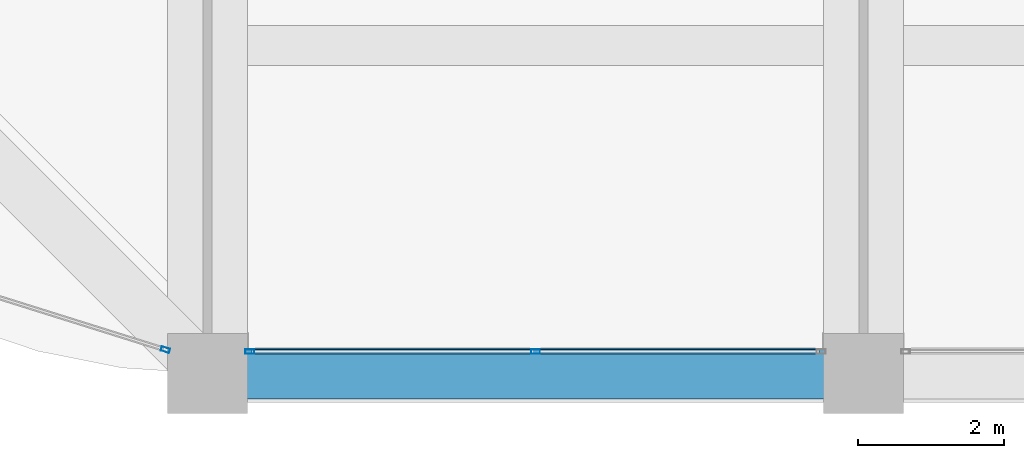
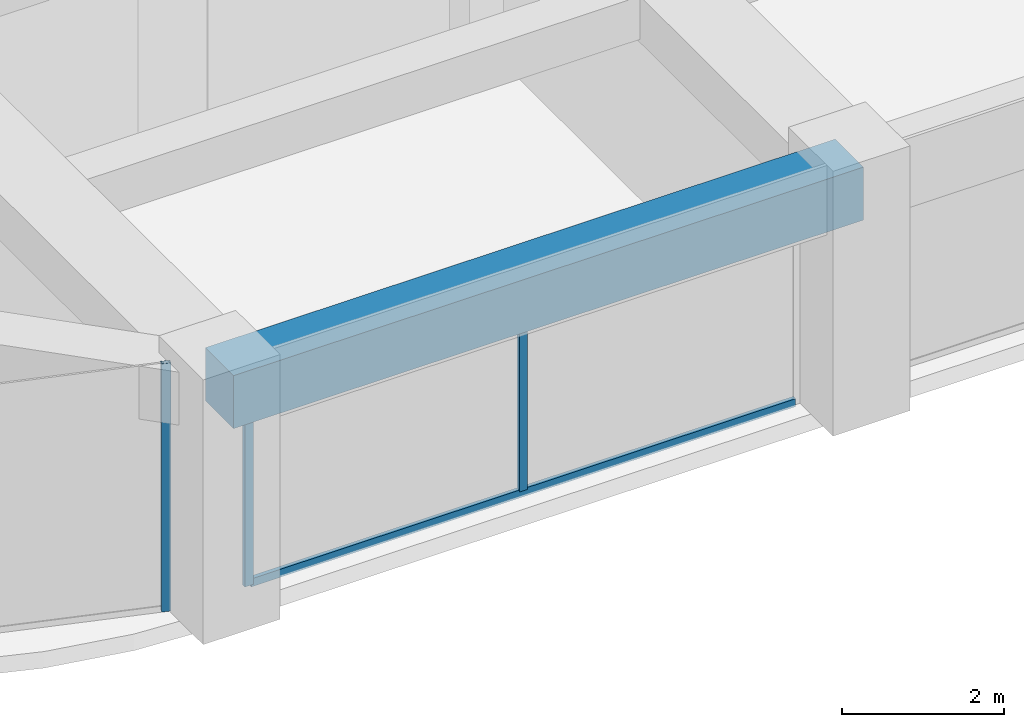
# One storey, part 4 of 45: 4 members, 1 beam, 2 elements without a shape of their own.
"""IFC4 building model written with IfcOpenShell, lengths in metres."""

from ifc_helpers import new_model, si_unit, direction, frame, origin, origin_2d, place, context, subcontext, project, spatial, rectangle, hollow_rectangle, extrude, material, material_profile, profile_set, type_object, element, aggregate, save


model = new_model("IFC4")

# Units and contexts
model_context = context("Model", 3, precision=1e-05, world=origin(), true_north=direction((0.0, 1.0)))
body_context = subcontext(model_context, "Body", "Model", "MODEL_VIEW")
ifc_project = project(units=[si_unit("LENGTHUNIT", "METRE"), si_unit("AREAUNIT", "SQUARE_METRE"), si_unit("VOLUMEUNIT", "CUBIC_METRE"), si_unit("PLANEANGLEUNIT", "RADIAN"), si_unit("MASSUNIT", "GRAM", prefix="KILO")], contexts=[model_context])

# Site, building, storey
site_placement = place(None, origin())
site = spatial("IfcSite", under=ifc_project, at=site_placement, CompositionType="ELEMENT")
building_placement = place(site_placement, origin())
building = spatial("IfcBuilding", under=site, at=building_placement, Name="Zorevar Civic Tower", CompositionType="ELEMENT")
storey_placement = place(building_placement, frame((0.0, 0.0, 291.39990234375)))
storey = spatial("IfcBuildingStorey", under=building, at=storey_placement, Name="L71", CompositionType="ELEMENT", Elevation=291.39990234375)

# Curtain wall, members
ifc_material_1 = material(Name="Dark grey solar-control glass in black aluminium frame", Category="aluminium")
curtain_wall_type = type_object("IfcCurtainWallType", Name="Curtain wall CW5 top zone", PredefinedType="NOTDEFINED", material=ifc_material_1)
curtain_wall_1_placement = place(storey_placement, origin())
curtain_wall_1 = element("IfcCurtainWall", 1, at=curtain_wall_1_placement, inside=storey, type_object=curtain_wall_type, Name="CW5 L71", PredefinedType="NOTDEFINED")
ifc_material_2 = material(Name="Aluminium, black anodised", Category="aluminium")
ifc_material_profile_1 = material_profile(ifc_material_2, hollow_rectangle(XDim=0.06005859375, YDim=0.1201171875, WallThickness=0.0029296875, at=origin_2d()), Name="AL 120x60x3")
ifc_profile_set_1 = profile_set([ifc_material_profile_1], Name="Aluminium, black anodised")
member_type_1 = type_object("IfcMemberType", Name="CW5 mullion AL 120x60x3", PredefinedType="MULLION", material=ifc_profile_set_1)
member_1_placement = place(storey_placement, frame((18.580078125, 0.300048828125, 0.0), z_axis=(0.0, 0.0, 1.0), x_axis=(0.0, 1.0, 0.0)))
member_1 = element("IfcMember", 2, at=member_1_placement, type_object=member_type_1, Name="CW5 mullion 1", PredefinedType="MULLION", context=body_context, shape_type="SweptSolid", body=[
    extrude(hollow_rectangle(XDim=0.06005859375, YDim=0.1201171875, WallThickness=0.0029296875, at=origin_2d()), origin(), (0.0, 0.0, 1.0), 2.9501953125),
])
member_2_placement = place(storey_placement, frame((22.5, 0.300048828125, 0.06005859375), z_axis=(0.0, 0.0, 1.0), x_axis=(0.0, 1.0, 0.0)))
member_2 = element("IfcMember", 3, at=member_2_placement, type_object=member_type_1, Name="CW5 mullion 2", PredefinedType="MULLION", context=body_context, shape_type="SweptSolid", body=[
    extrude(hollow_rectangle(XDim=0.06005859375, YDim=0.1201171875, WallThickness=0.0029296875, at=origin_2d()), origin(), (0.0, 0.0, 1.0), 2.89013671875),
])

# Curtain wall, member
curtain_wall_2_placement = place(storey_placement, origin())
curtain_wall_2 = element("IfcCurtainWall", 4, at=curtain_wall_2_placement, inside=storey, type_object=curtain_wall_type, Name="CW5 L71", PredefinedType="NOTDEFINED")
member_3_placement = place(storey_placement, frame((17.42138671875, 0.326416015625, 0.0), z_axis=(0.0, 0.0, 1.0), x_axis=(0.299317920238, 0.954153437674, 0.0)))
member_3 = element("IfcMember", 5, at=member_3_placement, type_object=member_type_1, Name="CW5 mullion 2", PredefinedType="MULLION", context=body_context, shape_type="SweptSolid", body=[
    extrude(hollow_rectangle(XDim=0.06005859375, YDim=0.1201171875, WallThickness=0.0029296875, at=origin_2d()), origin(), (0.0, 0.0, 1.0), 3.75),
])
aggregate(curtain_wall_2, [member_3])

# Member
ifc_material_3 = material(Name="Aluminium, black anodised", Category="aluminium")
ifc_material_profile_2 = material_profile(ifc_material_3, hollow_rectangle(XDim=0.06005859375, YDim=0.1201171875, WallThickness=0.0029296875, at=origin_2d()), Name="AL 120x60x3")
ifc_profile_set_2 = profile_set([ifc_material_profile_2], Name="Aluminium, black anodised")
member_type_2 = type_object("IfcMemberType", Name="CW5 transom AL 120x60x3", PredefinedType="USERDEFINED", material=ifc_profile_set_2)
member_4_placement = place(storey_placement, frame((18.610107421875, 0.300048828125, 0.030029296875), z_axis=(1.0, 0.0, 0.0), x_axis=(0.0, 1.0, 0.0)))
member_4 = element("IfcMember", 6, at=member_4_placement, type_object=member_type_2, Name="CW5 sill transom", ObjectType="TRANSOM", PredefinedType="USERDEFINED", context=body_context, shape_type="SweptSolid", body=[
    extrude(hollow_rectangle(XDim=0.06005859375, YDim=0.1201171875, WallThickness=0.0029296875, at=origin_2d()), origin(), (0.0, 0.0, 1.0), 7.77978515625),
])

aggregate(curtain_wall_1, [member_1, member_2, member_4])

# Beam
ifc_material_4 = material(Name="Concrete C50/60", Category="concrete")
ifc_material_profile_3 = material_profile(ifc_material_4, rectangle(XDim=0.699951171875, YDim=0.800048828125, at=origin_2d()), Name="RC 700x800")
ifc_profile_set_3 = profile_set([ifc_material_profile_3], Name="Concrete C50/60")
beam_type = type_object("IfcBeamType", Name="Edge beam RC 700x800", PredefinedType="SPANDREL", material=ifc_profile_set_3)
beam_placement = place(storey_placement, frame((18.0, 0.0, 3.35009765625), z_axis=(1.0, 0.0, 0.0), x_axis=(0.0, 1.0, 0.0)))
element("IfcBeam", 7, at=beam_placement, inside=storey, type_object=beam_type, Name="Edge beam L72", PredefinedType="SPANDREL", context=body_context, shape_type="SweptSolid", body=[
    extrude(rectangle(XDim=0.699951171875, YDim=0.800048828125, at=origin_2d()), origin(), (0.0, 0.0, 1.0), 9.0),
])

save(model, "model.ifc")
